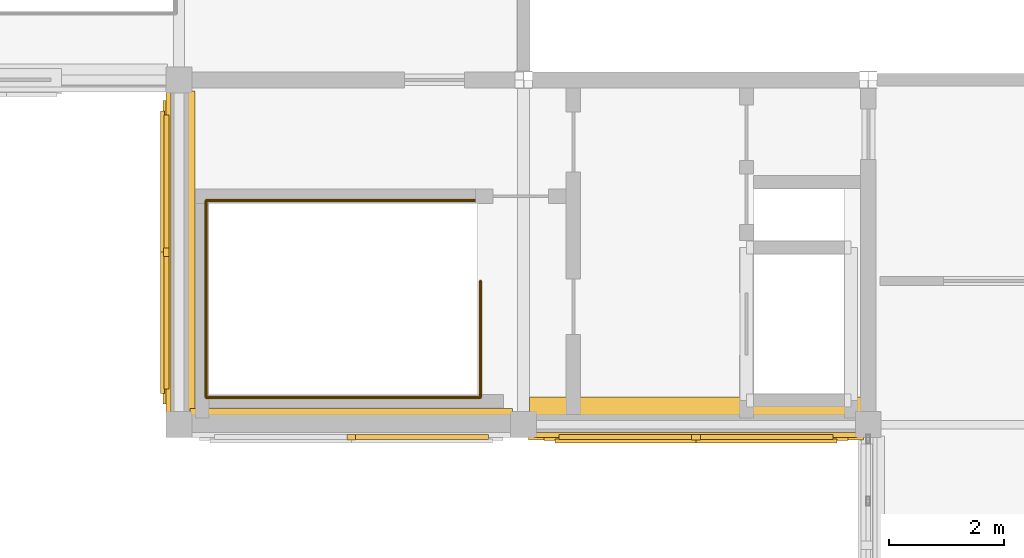
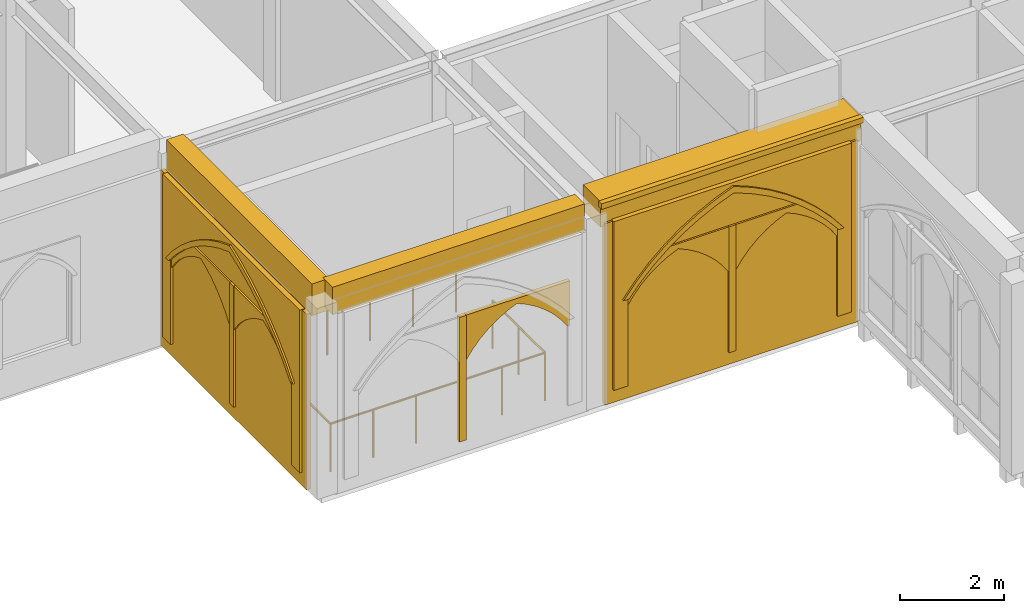
# One storey, part 51 of 59: 18 coverings, 1 railing.
"""IFC4 building model written with IfcOpenShell, lengths in metres."""

from ifc_helpers import new_model, si_unit, direction, frame, origin, origin_2d, place, context, subcontext, project, spatial, polyline, rectangle, circle, outline, extrude, material, type_object, element, save


model = new_model("IFC4")

# Units and contexts
model_context = context("Model", 3, precision=1e-05, world=origin(), true_north=direction((0.0, 1.0)))
body_context = subcontext(model_context, "Body", "Model", "MODEL_VIEW")
ifc_project = project(units=[si_unit("LENGTHUNIT", "METRE"), si_unit("AREAUNIT", "SQUARE_METRE"), si_unit("VOLUMEUNIT", "CUBIC_METRE"), si_unit("PLANEANGLEUNIT", "RADIAN"), si_unit("MASSUNIT", "GRAM", prefix="KILO")], contexts=[model_context])

# Site, building, storey
site_placement = place(None, origin())
site = spatial("IfcSite", under=ifc_project, at=site_placement, CompositionType="ELEMENT")
building_placement = place(site_placement, origin())
building = spatial("IfcBuilding", under=site, at=building_placement, Name="Cumevento Cable Car Station", CompositionType="ELEMENT")
storey_placement = place(building_placement, frame((0.0, 0.0, 18.0)))
storey = spatial("IfcBuildingStorey", under=building, at=storey_placement, Name="L05", CompositionType="ELEMENT", Elevation=18.0)

# Railing
ifc_material_1 = material(Name="Painted Galvanised Architectural Steel", Category="steel")
railing_type = type_object("IfcRailingType", Name="Stair Guardrail GR-S115", PredefinedType="GUARDRAIL", material=ifc_material_1)
railing_placement = place(storey_placement, frame((63.25, 41.5, 0.0)))
element("IfcRailing", 1, at=railing_placement, inside=storey, type_object=railing_type, Name="Stairwell Opening Rim Guard ST-01-L04 L05", PredefinedType="GUARDRAIL", context=body_context, shape_type="SweptSolid", body=[
    extrude(circle(Radius=0.02392578125, at=origin_2d()), frame((0.0, 0.0, 1.1259765625), z_axis=(0.0, -1.0, 0.0), x_axis=(1.0, 0.0, 0.0)), (0.0, 0.0, 1.0), 2.030029296875),
    extrude(circle(Radius=0.02392578125, at=origin_2d()), frame((0.0, -2.030029296875, 1.1259765625), z_axis=(-1.0, 0.0, 0.0), x_axis=(0.0, -1.0, 0.0)), (0.0, 0.0, 1.0), 4.780029296875),
    extrude(circle(Radius=0.02392578125, at=origin_2d()), frame((-4.780029296875, -2.030029296875, 1.1259765625), z_axis=(0.0, 1.0, 0.0), x_axis=(-1.0, 0.0, 0.0)), (0.0, 0.0, 1.0), 3.429931640625),
    extrude(circle(Radius=0.02392578125, at=origin_2d()), frame((-4.780029296875, 1.39990234375, 1.1259765625), z_axis=(1.0, 0.0, 0.0), x_axis=(0.0, 1.0, 0.0)), (0.0, 0.0, 1.0), 4.780029296875),
    extrude(circle(Radius=0.02001953125, at=origin_2d()), origin(), (0.0, 0.0, 1.0), 1.101806640625),
    extrude(circle(Radius=0.02001953125, at=origin_2d()), frame((0.0, -1.01513671875, 0.0)), (0.0, 0.0, 1.0), 1.101806640625),
    extrude(circle(Radius=0.02001953125, at=origin_2d()), frame((0.0, -2.030029296875, 0.0)), (0.0, 0.0, 1.0), 1.101806640625),
    extrude(circle(Radius=0.02001953125, at=origin_2d()), frame((-0.9560546875, -2.030029296875, 0.0)), (0.0, 0.0, 1.0), 1.101806640625),
    extrude(circle(Radius=0.02001953125, at=origin_2d()), frame((-1.912109375, -2.030029296875, 0.0)), (0.0, 0.0, 1.0), 1.101806640625),
    extrude(circle(Radius=0.02001953125, at=origin_2d()), frame((-2.867919921875, -2.030029296875, 0.0)), (0.0, 0.0, 1.0), 1.101806640625),
    extrude(circle(Radius=0.02001953125, at=origin_2d()), frame((-3.823974609375, -2.030029296875, 0.0)), (0.0, 0.0, 1.0), 1.101806640625),
    extrude(circle(Radius=0.02001953125, at=origin_2d()), frame((-4.780029296875, -2.030029296875, 0.0)), (0.0, 0.0, 1.0), 1.101806640625),
    extrude(circle(Radius=0.02001953125, at=origin_2d()), frame((-4.780029296875, -1.172607421875, 0.0)), (0.0, 0.0, 1.0), 1.101806640625),
    extrude(circle(Radius=0.02001953125, at=origin_2d()), frame((-4.780029296875, -0.31494140625, 0.0)), (0.0, 0.0, 1.0), 1.101806640625),
    extrude(circle(Radius=0.02001953125, at=origin_2d()), frame((-4.780029296875, 0.54248046875, 0.0)), (0.0, 0.0, 1.0), 1.101806640625),
    extrude(circle(Radius=0.02001953125, at=origin_2d()), frame((-4.780029296875, 1.39990234375, 0.0)), (0.0, 0.0, 1.0), 1.101806640625),
    extrude(circle(Radius=0.02001953125, at=origin_2d()), frame((-3.823974609375, 1.39990234375, 0.0)), (0.0, 0.0, 1.0), 1.101806640625),
    extrude(circle(Radius=0.02001953125, at=origin_2d()), frame((-2.867919921875, 1.39990234375, 0.0)), (0.0, 0.0, 1.0), 1.101806640625),
    extrude(circle(Radius=0.02001953125, at=origin_2d()), frame((-1.912109375, 1.39990234375, 0.0)), (0.0, 0.0, 1.0), 1.101806640625),
    extrude(circle(Radius=0.02001953125, at=origin_2d()), frame((-0.9560546875, 1.39990234375, 0.0)), (0.0, 0.0, 1.0), 1.101806640625),
    extrude(circle(Radius=0.02001953125, at=origin_2d()), frame((0.0, 1.39990234375, 0.0)), (0.0, 0.0, 1.0), 1.101806640625),
])

# Coverings
ifc_material_2 = material(Name="Gnaisse Facoidal Stone Ashlar 85 MPa", Category="masonry")
covering_type = type_object("IfcCoveringType", Name="Gnaisse Ashlar Cladding CV-CL01", PredefinedType="CLADDING", material=ifc_material_2)
covering_1_placement = place(storey_placement, frame((61.0, 39.090087890625, 4.134033203125), z_axis=(0.0, 0.0, 1.0), x_axis=(-1.0, 0.0, 0.0)))
element("IfcCovering", 2, at=covering_1_placement, inside=storey, type_object=covering_type, Name="Gothic Stone Spandrel Stringcourse sc:0778", PredefinedType="CLADDING", context=body_context, shape_type="SweptSolid", body=[
    extrude(rectangle(XDim=5.610107421875, YDim=0.3798828125, at=origin_2d()), origin(), (0.0, 0.0, 1.0), 0.64599609375),
])
covering_2_placement = place(storey_placement, frame((67.0, 39.14990234375, 4.174072265625), z_axis=(0.0, 0.0, 1.0), x_axis=(-1.0, 0.0, 0.0)))
element("IfcCovering", 3, at=covering_2_placement, inside=storey, type_object=covering_type, Name="Gothic Stone Spandrel Stringcourse sc:0779", PredefinedType="CLADDING", context=body_context, shape_type="SweptSolid", body=[
    extrude(rectangle(XDim=5.7900390625, YDim=0.659912109375, at=origin_2d()), origin(), (0.0, 0.0, 1.0), 0.60595703125),
])
covering_3_placement = place(storey_placement, frame((67.0, 38.79248046875, 4.650146484375), z_axis=(0.0, 0.0, 1.0), x_axis=(-1.0, 0.0, 0.0)))
element("IfcCovering", 4, at=covering_3_placement, inside=storey, type_object=covering_type, Name="Gothic Cornice Dripstone Lip sc:0779", PredefinedType="CLADDING", context=body_context, shape_type="SweptSolid", body=[
    extrude(rectangle(XDim=5.830078125, YDim=0.114990234375, at=origin_2d()), origin(), (0.0, 0.0, 1.0), 0.1298828125),
])
covering_4_placement = place(storey_placement, frame((58.090087890625, 42.0, 4.032958984375), z_axis=(0.0, 0.0, 1.0), x_axis=(0.0, 1.0, 0.0)))
element("IfcCovering", 5, at=covering_4_placement, inside=storey, type_object=covering_type, Name="Gothic Stone Spandrel Stringcourse sc:0780", PredefinedType="CLADDING", context=body_context, shape_type="SweptSolid", body=[
    extrude(rectangle(XDim=5.610107421875, YDim=0.3798828125, at=origin_2d()), origin(), (0.0, 0.0, 1.0), 0.7470703125),
])
covering_5_placement = place(storey_placement, frame((63.594970703125, 39.0, 0.300048828125), z_axis=(0.0, 0.0, 1.0), x_axis=(-1.0, 0.0, 0.0)))
element("IfcCovering", 6, at=covering_5_placement, inside=storey, type_object=covering_type, Name="Gothic Bifora Stone Colonnette blind_ogival:0295 #1", PredefinedType="CLADDING", context=body_context, shape_type="SweptSolid", body=[
    extrude(outline(polyline([(2.52001953125, -0.02001953125), (2.669921875, -0.02001953125), (2.669921875, 2.91455078125), (2.52001953125, 2.91455078125), (2.52001953125, -0.02001953125)])), frame((0.0, 0.265380859375, 0.0), z_axis=(0.0, -1.0, 0.0), x_axis=(1.0, 0.0, 0.0)), (0.0, 0.0, 1.0), 0.094970703125),
])
covering_6_placement = place(storey_placement, frame((63.364990234375, 39.0, 2.168701171875), z_axis=(0.0, 0.0, 1.0), x_axis=(-1.0, 0.0, 0.0)))
element("IfcCovering", 7, at=covering_6_placement, inside=storey, type_object=covering_type, Name="Gothic Ogival Pointed-Arch Stone Spandrel blind_ogival:0295:sub:0", PredefinedType="CLADDING", context=body_context, shape_type="SweptSolid", body=[
    extrude(outline(polyline([(-0.02001953125, 0.0), (-0.02001953125, 1.0458984375), (2.340087890625, 1.0458984375), (2.340087890625, 0.0), (2.280029296875, 0.0), (2.137939453125, 0.201171875), (1.975341796875, 0.385986328125), (1.794189453125, 0.552734375), (1.596435546875, 0.699462890625), (1.38427734375, 0.82421875), (1.159912109375, 0.926025390625), (0.935791015625, 0.82421875), (0.7236328125, 0.699462890625), (0.52587890625, 0.552734375), (0.3447265625, 0.385986328125), (0.18212890625, 0.201171875), (0.0400390625, 0.0), (-0.02001953125, 0.0)])), frame((0.0, 0.261474609375, 0.0), z_axis=(0.0, -1.0, 0.0), x_axis=(1.0, 0.0, 0.0)), (0.0, 0.0, 1.0), 0.090087890625),
])
covering_7_placement = place(storey_placement, frame((69.77490234375, 39.0, 0.0), z_axis=(0.0, 0.0, 1.0), x_axis=(-1.0, 0.0, 0.0)))
element("IfcCovering", 8, at=covering_7_placement, inside=storey, type_object=covering_type, Name="Exterior Gnaisse Stone Wall Ashlar #296", PredefinedType="CLADDING", context=body_context, shape_type="SweptSolid", body=[
    extrude(outline(polyline([(-0.0400390625, -0.02001953125), (5.590087890625, -0.02001953125), (5.590087890625, 4.25390625), (-0.0400390625, 4.25390625), (-0.0400390625, -0.02001953125)])), frame((0.0, 0.222412109375, 0.0), z_axis=(0.0, -1.0, 0.0), x_axis=(1.0, 0.0, 0.0)), (0.0, 0.0, 1.0), 0.0849609375),
])
placement_1 = place(storey_placement, frame((69.594970703125, 39.0, 0.300048828125), z_axis=(0.0, 0.0, 1.0), x_axis=(-1.0, 0.0, 0.0)))
element("IfcCovering", 9, at=placement_1, inside=storey, type_object=covering_type, Name="Gothic Ogival Pointed-Arch Stone Spandrel blind_ogival:0296", PredefinedType="CLADDING", context=body_context, shape_type="SweptSolid", body=[
    extrude(outline(polyline([(-0.050048828125, 0.0), (-0.050048828125, 3.97412109375), (5.239990234375, 3.97412109375), (5.239990234375, 0.0), (4.929931640625, 0.0), (4.929931640625, 2.071044921875), (4.661376953125, 2.389892578125), (4.36767578125, 2.685546875), (4.05078125, 2.9560546875), (3.712646484375, 3.19970703125), (3.355712890625, 3.4150390625), (2.982177734375, 3.60009765625), (2.594970703125, 3.754150390625), (2.207763671875, 3.60009765625), (1.834228515625, 3.4150390625), (1.477294921875, 3.19970703125), (1.13916015625, 2.9560546875), (0.822265625, 2.685546875), (0.528564453125, 2.389892578125), (0.260009765625, 2.071044921875), (0.260009765625, 0.0), (-0.050048828125, 0.0)])), frame((0.0, 0.277587890625, 0.0), z_axis=(0.0, -1.0, 0.0), x_axis=(1.0, 0.0, 0.0)), (0.0, 0.0, 1.0), 0.110107421875),
])
covering_9_placement = place(storey_placement, frame((69.594970703125, 39.0, 2.37109375), z_axis=(0.0, 0.0, 1.0), x_axis=(-1.0, 0.0, 0.0)))
element("IfcCovering", 10, at=covering_9_placement, inside=storey, type_object=covering_type, Name="Gothic Pointed Archivolt Hood Moulding blind_ogival:0296", PredefinedType="CLADDING", context=body_context, shape_type="SweptSolid", body=[
    extrude(outline(polyline([(0.260009765625, 0.0), (0.528564453125, 0.31884765625), (0.822265625, 0.614501953125), (1.13916015625, 0.885009765625), (1.477294921875, 1.128662109375), (1.834228515625, 1.343994140625), (2.207763671875, 1.529052734375), (2.594970703125, 1.68310546875), (2.982177734375, 1.529052734375), (3.355712890625, 1.343994140625), (3.712646484375, 1.128662109375), (4.05078125, 0.885009765625), (4.36767578125, 0.614501953125), (4.661376953125, 0.31884765625), (4.929931640625, 0.0), (5.051025390625, 0.0), (4.77294921875, 0.346435546875), (4.466552734375, 0.668212890625), (4.13427734375, 0.962890625), (3.778564453125, 1.228759765625), (3.4013671875, 1.463623046875), (3.006103515625, 1.666015625), (2.594970703125, 1.834228515625), (2.183837890625, 1.666015625), (1.78857421875, 1.463623046875), (1.411376953125, 1.228759765625), (1.0556640625, 0.962890625), (0.723388671875, 0.668212890625), (0.4169921875, 0.346435546875), (0.138916015625, 0.0), (0.260009765625, 0.0)])), frame((0.0, 0.319580078125, 0.0), z_axis=(0.0, -1.0, 0.0), x_axis=(1.0, 0.0, 0.0)), (0.0, 0.0, 1.0), 0.06689453125),
])
element("IfcCovering", 11, at=placement_1, inside=storey, type_object=covering_type, Name="Gothic Bifora Stone Colonnette blind_ogival:0296 #1", PredefinedType="CLADDING", context=body_context, shape_type="SweptSolid", body=[
    extrude(outline(polyline([(2.52001953125, -0.02001953125), (2.669921875, -0.02001953125), (2.669921875, 2.9462890625), (2.52001953125, 2.9462890625), (2.52001953125, -0.02001953125)])), frame((0.0, 0.265380859375, 0.0), z_axis=(0.0, -1.0, 0.0), x_axis=(1.0, 0.0, 0.0)), (0.0, 0.0, 1.0), 0.094970703125),
])
for number, where, z_axis, x_axis, name in (
    (12, (69.364990234375, 39.0, 2.19091796875), (0.0, 0.0, 1.0), (-1.0, 0.0, 0.0), "Gothic Ogival Pointed-Arch Stone Spandrel blind_ogival:0296:sub:0"),
    (13, (66.955078125, 39.0, 2.19091796875), (0.0, 0.0, 1.0), (-1.0, 0.0, 0.0), "Gothic Ogival Pointed-Arch Stone Spandrel blind_ogival:0296:sub:1"),
):
    element("IfcCovering", number, at=place(storey_placement, frame(where, z_axis=z_axis, x_axis=x_axis)), inside=storey, type_object=covering_type, Name=name, PredefinedType="CLADDING", context=body_context, shape_type="SweptSolid", body=[
        extrude(outline(polyline([(-0.02001953125, 0.0), (-0.02001953125, 1.05517578125), (2.340087890625, 1.05517578125), (2.340087890625, 0.0), (2.280029296875, 0.0), (2.138671875, 0.202880859375), (1.9765625, 0.3896484375), (1.795654296875, 0.557861328125), (1.59765625, 0.7060546875), (1.385009765625, 0.832275390625), (1.159912109375, 0.935302734375), (0.93505859375, 0.832275390625), (0.722412109375, 0.7060546875), (0.5244140625, 0.557861328125), (0.343505859375, 0.3896484375), (0.181396484375, 0.202880859375), (0.0400390625, 0.0), (-0.02001953125, 0.0)])), frame((0.0, 0.261474609375, 0.0), z_axis=(0.0, -1.0, 0.0), x_axis=(1.0, 0.0, 0.0)), (0.0, 0.0, 1.0), 0.090087890625),
    ])
covering_11_placement = place(storey_placement, frame((58.0, 39.22509765625, 0.0), z_axis=(0.0, 0.0, 1.0), x_axis=(0.0, 1.0, 0.0)))
element("IfcCovering", 14, at=covering_11_placement, inside=storey, type_object=covering_type, Name="Exterior Gnaisse Stone Wall Ashlar #297", PredefinedType="CLADDING", context=body_context, shape_type="SweptSolid", body=[
    extrude(outline(polyline([(-0.0400390625, -0.02001953125), (5.590087890625, -0.02001953125), (5.590087890625, 4.113037109375), (-0.0400390625, 4.113037109375), (-0.0400390625, -0.02001953125)])), frame((0.0, 0.222412109375, 0.0), z_axis=(0.0, -1.0, 0.0), x_axis=(1.0, 0.0, 0.0)), (0.0, 0.0, 1.0), 0.0849609375),
])
placement_2 = place(storey_placement, frame((58.0, 39.405029296875, 0.300048828125), z_axis=(0.0, 0.0, 1.0), x_axis=(0.0, 1.0, 0.0)))
element("IfcCovering", 15, at=placement_2, inside=storey, type_object=covering_type, Name="Gothic Ogival Pointed-Arch Stone Spandrel blind_ogival:0297", PredefinedType="CLADDING", context=body_context, shape_type="SweptSolid", body=[
    extrude(outline(polyline([(-0.050048828125, 0.0), (-0.050048828125, 3.8330078125), (5.239990234375, 3.8330078125), (5.239990234375, 0.0), (4.929931640625, 0.0), (4.929931640625, 1.9921875), (4.6572265625, 2.300048828125), (4.361083984375, 2.585205078125), (4.04296875, 2.845947265625), (3.705078125, 3.08056640625), (3.349609375, 3.287353515625), (2.978759765625, 3.465087890625), (2.594970703125, 3.61279296875), (2.211181640625, 3.465087890625), (1.84033203125, 3.287353515625), (1.48486328125, 3.08056640625), (1.14697265625, 2.845947265625), (0.828857421875, 2.585205078125), (0.53271484375, 2.300048828125), (0.260009765625, 1.9921875), (0.260009765625, 0.0), (-0.050048828125, 0.0)])), frame((0.0, 0.277587890625, 0.0), z_axis=(0.0, -1.0, 0.0), x_axis=(1.0, 0.0, 0.0)), (0.0, 0.0, 1.0), 0.110107421875),
])
covering_13_placement = place(storey_placement, frame((58.0, 39.405029296875, 2.2919921875), z_axis=(0.0, 0.0, 1.0), x_axis=(0.0, 1.0, 0.0)))
element("IfcCovering", 16, at=covering_13_placement, inside=storey, type_object=covering_type, Name="Gothic Pointed Archivolt Hood Moulding blind_ogival:0297", PredefinedType="CLADDING", context=body_context, shape_type="SweptSolid", body=[
    extrude(outline(polyline([(0.260009765625, 0.0), (0.53271484375, 0.307861328125), (0.828857421875, 0.593017578125), (1.14697265625, 0.853759765625), (1.48486328125, 1.08837890625), (1.84033203125, 1.295166015625), (2.211181640625, 1.47314453125), (2.594970703125, 1.620849609375), (2.978759765625, 1.47314453125), (3.349609375, 1.295166015625), (3.705078125, 1.08837890625), (4.04296875, 0.853759765625), (4.361083984375, 0.593017578125), (4.6572265625, 0.307861328125), (4.929931640625, 0.0), (5.051025390625, 0.0), (4.7685546875, 0.335693359375), (4.459716796875, 0.64697265625), (4.12646484375, 0.931884765625), (3.770751953125, 1.1884765625), (3.395263671875, 1.4150390625), (3.00244140625, 1.610107421875), (2.594970703125, 1.772216796875), (2.1875, 1.610107421875), (1.794677734375, 1.4150390625), (1.419189453125, 1.1884765625), (1.0634765625, 0.931884765625), (0.730224609375, 0.64697265625), (0.42138671875, 0.335693359375), (0.138916015625, 0.0), (0.260009765625, 0.0)])), frame((0.0, 0.319580078125, 0.0), z_axis=(0.0, -1.0, 0.0), x_axis=(1.0, 0.0, 0.0)), (0.0, 0.0, 1.0), 0.06689453125),
])
element("IfcCovering", 17, at=placement_2, inside=storey, type_object=covering_type, Name="Gothic Bifora Stone Colonnette blind_ogival:0297 #1", PredefinedType="CLADDING", context=body_context, shape_type="SweptSolid", body=[
    extrude(outline(polyline([(2.52001953125, -0.02001953125), (2.669921875, -0.02001953125), (2.669921875, 2.8349609375), (2.52001953125, 2.8349609375), (2.52001953125, -0.02001953125)])), frame((0.0, 0.265380859375, 0.0), z_axis=(0.0, -1.0, 0.0), x_axis=(1.0, 0.0, 0.0)), (0.0, 0.0, 1.0), 0.094970703125),
])
for number, where, z_axis, x_axis, name in (
    (18, (58.0, 39.635009765625, 2.112060546875), (0.0, 0.0, 1.0), (0.0, 1.0, 0.0), "Gothic Ogival Pointed-Arch Stone Spandrel blind_ogival:0297:sub:0"),
    (19, (58.0, 42.044921875, 2.112060546875), (0.0, 0.0, 1.0), (0.0, 1.0, 0.0), "Gothic Ogival Pointed-Arch Stone Spandrel blind_ogival:0297:sub:1"),
):
    element("IfcCovering", number, at=place(storey_placement, frame(where, z_axis=z_axis, x_axis=x_axis)), inside=storey, type_object=covering_type, Name=name, PredefinedType="CLADDING", context=body_context, shape_type="SweptSolid", body=[
        extrude(outline(polyline([(-0.02001953125, 0.0), (-0.02001953125, 1.02294921875), (2.340087890625, 1.02294921875), (2.340087890625, 0.0), (2.280029296875, 0.0), (2.13623046875, 0.196533203125), (1.97265625, 0.376953125), (1.791015625, 0.53955078125), (1.59375, 0.682373046875), (1.382568359375, 0.803955078125), (1.159912109375, 0.90283203125), (0.9375, 0.803955078125), (0.726318359375, 0.682373046875), (0.529052734375, 0.53955078125), (0.347412109375, 0.376953125), (0.183837890625, 0.196533203125), (0.0400390625, 0.0), (-0.02001953125, 0.0)])), frame((0.0, 0.261474609375, 0.0), z_axis=(0.0, -1.0, 0.0), x_axis=(1.0, 0.0, 0.0)), (0.0, 0.0, 1.0), 0.090087890625),
    ])

save(model, "model.ifc")
